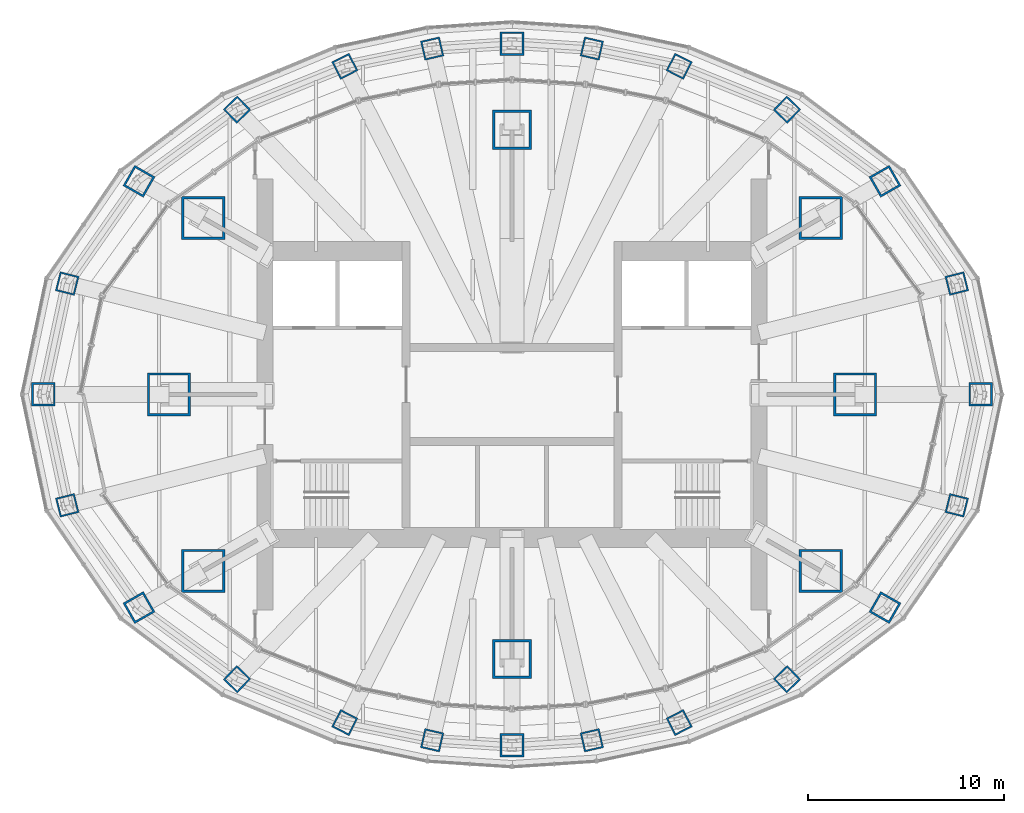
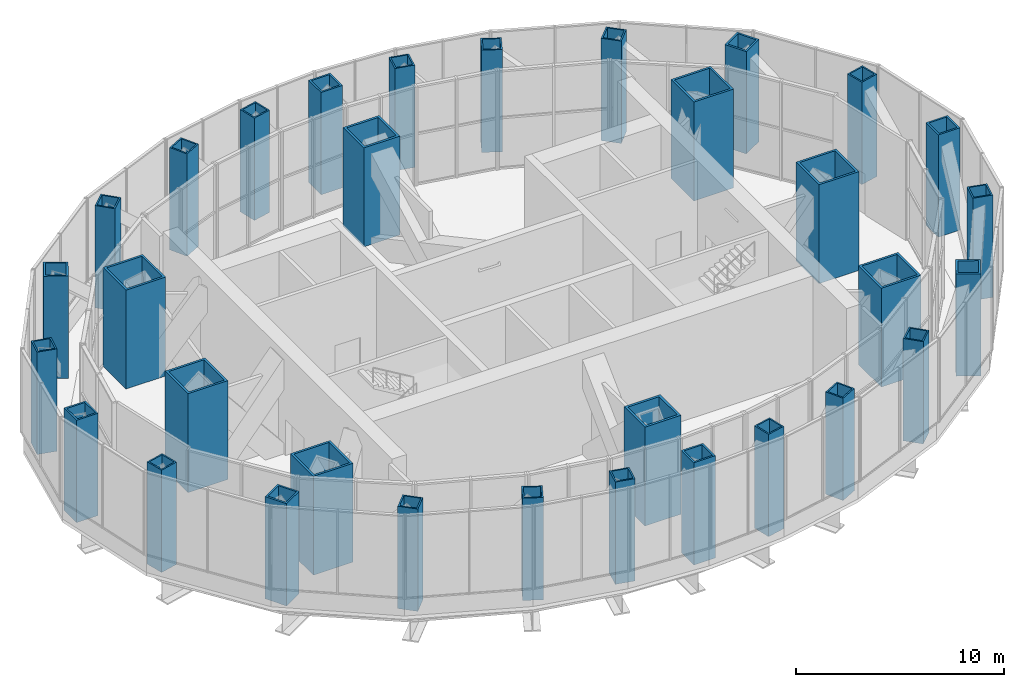
# One storey, part 1 of 21: 32 columns.
"""IFC4 building model written with IfcOpenShell, lengths in metres."""

from ifc_helpers import new_model, si_unit, direction, frame, origin, origin_2d, place, context, subcontext, project, spatial, rectangle, hollow_rectangle, extrude, material, material_profile, profile_set, type_object, element, save


model = new_model("IFC4")

# Units and contexts
model_context = context("Model", 3, precision=1e-05, world=origin(), true_north=direction((0.0, 1.0)))
body_context = subcontext(model_context, "Body", "Model", "MODEL_VIEW")
ifc_project = project(units=[si_unit("LENGTHUNIT", "METRE"), si_unit("AREAUNIT", "SQUARE_METRE"), si_unit("VOLUMEUNIT", "CUBIC_METRE"), si_unit("PLANEANGLEUNIT", "RADIAN"), si_unit("MASSUNIT", "GRAM", prefix="KILO")], contexts=[model_context])

# Site, building, storey
site_placement = place(None, origin())
site = spatial("IfcSite", under=ifc_project, at=site_placement, CompositionType="ELEMENT")
building_placement = place(site_placement, origin())
building = spatial("IfcBuilding", under=site, at=building_placement, Name="Lantaw Convention Tower", CompositionType="ELEMENT")
storey_placement = place(building_placement, frame((0.0, 0.0, 284.39990234375)))
storey = spatial("IfcBuildingStorey", under=building, at=storey_placement, Name="L66", CompositionType="ELEMENT", Elevation=284.39990234375)

# Columns
ifc_material_1 = material(Name="Steel EN 10025-3 S460N", Category="steel")
ifc_material_profile_1 = material_profile(ifc_material_1, hollow_rectangle(XDim=2.0, YDim=2.0, WallThickness=0.1298828125, at=origin_2d()), Name="BOX2000X130")
ifc_material_2 = material(Name="Concrete C60/75", Category="concrete")
ifc_material_profile_2 = material_profile(ifc_material_2, rectangle(XDim=1.739990234375, YDim=1.739990234375, at=origin_2d()), Name="Concrete fill of BOX2000X130")
ifc_profile_set_1 = profile_set([ifc_material_profile_1, ifc_material_profile_2], Name="Steel EN 10025-3 S460N")
column_type_1 = type_object("IfcColumnType", Name="Column MC BOX2000X130", PredefinedType="COLUMN", material=ifc_profile_set_1)
for number, where, z_axis, x_axis, name in (
    (1, (0.0, 13.5, 0.0), (0.0, 0.0, 1.0), (1.0, 0.0, 0.0), "Mega column M3"),
    (2, (0.0, -13.5, 0.0), (0.0, 0.0, 1.0), (1.0, 0.0, 0.0), "Mega column M7"),
):
    element("IfcColumn", number, at=place(storey_placement, frame(where, z_axis=z_axis, x_axis=x_axis)), inside=storey, type_object=column_type_1, Name=name, PredefinedType="COLUMN", context=body_context, shape_type="SweptSolid", body=[
        extrude(hollow_rectangle(XDim=2.0, YDim=2.0, WallThickness=0.1298828125, at=origin_2d()), origin(), (0.0, 0.0, 1.0), 5.800048828125),
    ])
ifc_material_profile_3 = material_profile(ifc_material_1, hollow_rectangle(XDim=2.199951171875, YDim=2.199951171875, WallThickness=0.1201171875, at=origin_2d()), Name="BOX2200X120")
ifc_material_profile_4 = material_profile(ifc_material_2, rectangle(XDim=1.9599609375, YDim=1.9599609375, at=origin_2d()), Name="Concrete fill of BOX2200X120")
ifc_profile_set_2 = profile_set([ifc_material_profile_3, ifc_material_profile_4], Name="Steel EN 10025-3 S460N")
column_type_2 = type_object("IfcColumnType", Name="Column MC BOX2200X120", PredefinedType="COLUMN", material=ifc_profile_set_2)
for number, where, z_axis, x_axis, name in (
    (3, (17.5, 0.0, 0.0), (0.0, 0.0, 1.0), (1.0, 0.0, 0.0), "Mega column M1"),
    (4, (15.75, 9.0, 0.0), (0.0, 0.0, 1.0), (1.0, 0.0, 0.0), "Mega column M2"),
    (5, (-15.75, 9.0, 0.0), (0.0, 0.0, 1.0), (1.0, 0.0, 0.0), "Mega column M4"),
    (6, (-17.5, 0.0, 0.0), (0.0, 0.0, 1.0), (1.0, 0.0, 0.0), "Mega column M5"),
    (7, (-15.75, -9.0, 0.0), (0.0, 0.0, 1.0), (1.0, 0.0, 0.0), "Mega column M6"),
    (8, (15.75, -9.0, 0.0), (0.0, 0.0, 1.0), (1.0, 0.0, 0.0), "Mega column M8"),
):
    element("IfcColumn", number, at=place(storey_placement, frame(where, z_axis=z_axis, x_axis=x_axis)), inside=storey, type_object=column_type_2, Name=name, PredefinedType="COLUMN", context=body_context, shape_type="SweptSolid", body=[
        extrude(hollow_rectangle(XDim=2.199951171875, YDim=2.199951171875, WallThickness=0.1201171875, at=origin_2d()), origin(), (0.0, 0.0, 1.0), 5.800048828125),
    ])
ifc_material_3 = material(Name="Steel ASTM A572 Grade 50", Category="steel")
ifc_material_profile_5 = material_profile(ifc_material_3, hollow_rectangle(XDim=1.0, YDim=1.0, WallThickness=0.080078125, at=origin_2d()), Name="BOX1000X80")
ifc_material_profile_6 = material_profile(ifc_material_2, rectangle(XDim=0.840087890625, YDim=0.840087890625, at=origin_2d()), Name="Concrete fill of BOX1000X80")
ifc_profile_set_3 = profile_set([ifc_material_profile_5, ifc_material_profile_6], Name="Steel ASTM A572 Grade 50")
column_type_3 = type_object("IfcColumnType", Name="Column PC BOX1000X80", PredefinedType="COLUMN", material=ifc_profile_set_3)
for number, where, z_axis, x_axis, name in (
    (9, (22.68701171875, 5.656494140625, 0.0), (0.0, 0.0, 1.0), (0.970295726276, 0.2419218956, 0.0), "Perimeter column P2"),
    (10, (14.027587890625, 14.526123046875, 0.0), (0.0, 0.0, 1.0), (0.694658370459, 0.719339800339, 0.0), "Perimeter column P4"),
    (11, (8.5283203125, 16.73779296875, 0.0), (0.0, 0.0, 1.0), (0.45399049974, 0.891006524188, 0.0), "Perimeter column P5"),
    (12, (4.072998046875, 17.642333984375, 0.0), (0.0, 0.0, 1.0), (0.224951054344, 0.974370064785, 0.0), "Perimeter column P6"),
    (13, (-4.072998046875, 17.642333984375, 0.0), (0.0, 0.0, 1.0), (0.974370064785, 0.224951054344, 0.0), "Perimeter column P8"),
    (14, (-8.5283203125, 16.73779296875, 0.0), (0.0, 0.0, 1.0), (0.891006524188, 0.45399049974, 0.0), "Perimeter column P9"),
    (15, (-14.027587890625, 14.526123046875, 0.0), (0.0, 0.0, 1.0), (0.719339800339, 0.694658370459, 0.0), "Perimeter column P10"),
    (16, (-22.68701171875, 5.656494140625, 0.0), (0.0, 0.0, 1.0), (0.2419218956, 0.970295726276, 0.0), "Perimeter column P12"),
    (17, (-22.68701171875, -5.656494140625, 0.0), (0.0, 0.0, 1.0), (0.970295726276, 0.2419218956, 0.0), "Perimeter column P14"),
    (18, (-14.027587890625, -14.526123046875, 0.0), (0.0, 0.0, 1.0), (0.694658370459, 0.719339800339, 0.0), "Perimeter column P16"),
    (19, (-8.5283203125, -16.73779296875, 0.0), (0.0, 0.0, 1.0), (0.45399049974, 0.891006524188, 0.0), "Perimeter column P17"),
    (20, (-4.072998046875, -17.642333984375, 0.0), (0.0, 0.0, 1.0), (0.224951054344, 0.974370064785, 0.0), "Perimeter column P18"),
    (21, (4.072998046875, -17.642333984375, 0.0), (0.0, 0.0, 1.0), (0.974370064785, 0.224951054344, 0.0), "Perimeter column P20"),
    (22, (8.5283203125, -16.73779296875, 0.0), (0.0, 0.0, 1.0), (0.891006524188, 0.45399049974, 0.0), "Perimeter column P21"),
    (23, (14.027587890625, -14.526123046875, 0.0), (0.0, 0.0, 1.0), (0.719339800339, 0.694658370459, 0.0), "Perimeter column P22"),
    (24, (22.68701171875, -5.656494140625, 0.0), (0.0, 0.0, 1.0), (0.2419218956, 0.970295726276, 0.0), "Perimeter column P24"),
):
    element("IfcColumn", number, at=place(storey_placement, frame(where, z_axis=z_axis, x_axis=x_axis)), inside=storey, type_object=column_type_3, Name=name, PredefinedType="COLUMN", context=body_context, shape_type="SweptSolid", body=[
        extrude(hollow_rectangle(XDim=1.0, YDim=1.0, WallThickness=0.080078125, at=origin_2d()), origin(), (0.0, 0.0, 1.0), 6.0),
    ])
ifc_material_profile_7 = material_profile(ifc_material_1, hollow_rectangle(XDim=1.199951171875, YDim=1.199951171875, WallThickness=0.10009765625, at=origin_2d()), Name="BOX1200X100")
ifc_material_profile_8 = material_profile(ifc_material_2, rectangle(XDim=1.0, YDim=1.0, at=origin_2d()), Name="Concrete fill of BOX1200X100")
ifc_profile_set_4 = profile_set([ifc_material_profile_7, ifc_material_profile_8], Name="Steel EN 10025-3 S460N")
column_type_4 = type_object("IfcColumnType", Name="Column PC BOX1200X100", PredefinedType="COLUMN", material=ifc_profile_set_4)
for number, where, z_axis, x_axis, name in (
    (25, (23.89990234375, 0.0, 0.0), (0.0, 0.0, 1.0), (1.0, 0.0, 0.0), "Perimeter column P1"),
    (26, (19.02685546875, 10.87255859375, 0.0), (0.0, 0.0, 1.0), (0.86824298017, 0.496139221777, 0.0), "Perimeter column P3"),
    (27, (0.0, 17.89990234375, 0.0), (0.0, 0.0, 1.0), (1.0, 0.0, 0.0), "Perimeter column P7"),
    (28, (-19.02685546875, 10.87255859375, 0.0), (0.0, 0.0, 1.0), (0.496139221777, 0.86824298017, 0.0), "Perimeter column P11"),
    (29, (-23.89990234375, 0.0, 0.0), (0.0, 0.0, 1.0), (1.0, 0.0, 0.0), "Perimeter column P13"),
    (30, (-19.02685546875, -10.87255859375, 0.0), (0.0, 0.0, 1.0), (0.86824298017, 0.496139221777, 0.0), "Perimeter column P15"),
    (31, (0.0, -17.89990234375, 0.0), (0.0, 0.0, 1.0), (1.0, 0.0, 0.0), "Perimeter column P19"),
    (32, (19.02685546875, -10.87255859375, 0.0), (0.0, 0.0, 1.0), (0.496139221777, 0.86824298017, 0.0), "Perimeter column P23"),
):
    element("IfcColumn", number, at=place(storey_placement, frame(where, z_axis=z_axis, x_axis=x_axis)), inside=storey, type_object=column_type_4, Name=name, PredefinedType="COLUMN", context=body_context, shape_type="SweptSolid", body=[
        extrude(hollow_rectangle(XDim=1.199951171875, YDim=1.199951171875, WallThickness=0.10009765625, at=origin_2d()), origin(), (0.0, 0.0, 1.0), 6.0),
    ])

save(model, "model.ifc")
